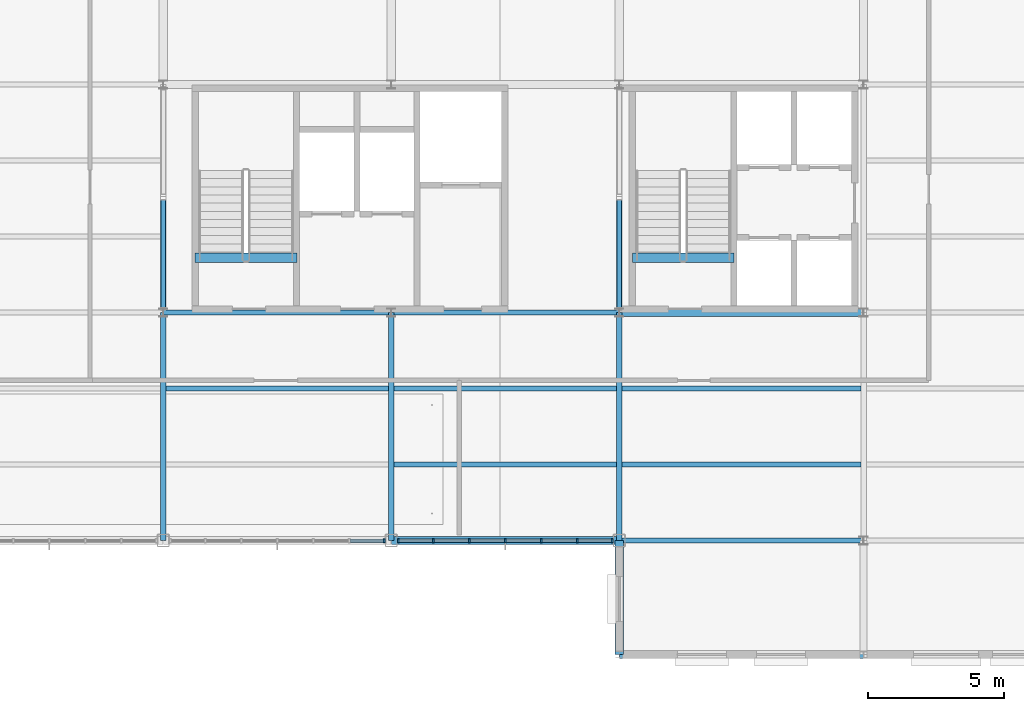
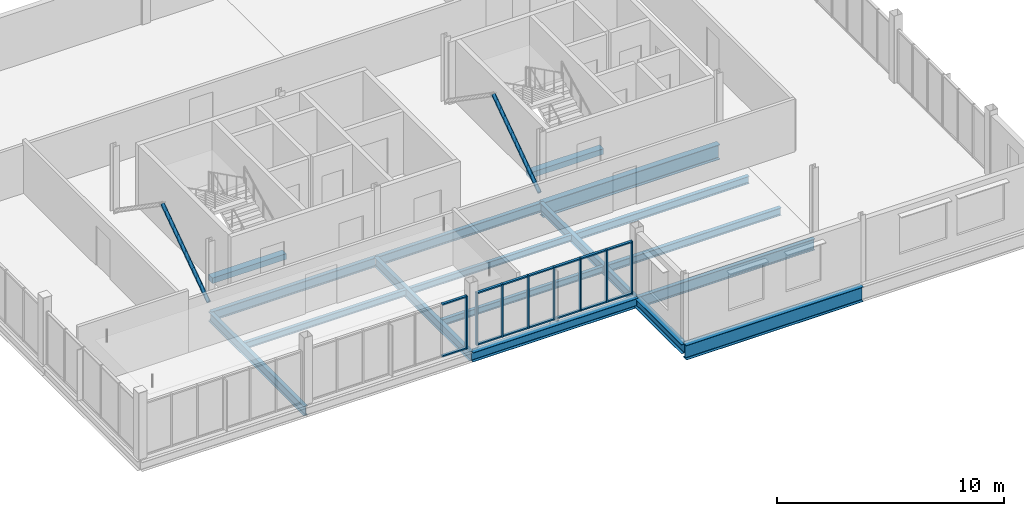
# One storey, part 5 of 19: 24 members, 17 beams, 2 elements without a shape of their own.
"""IFC4 building model written with IfcOpenShell, lengths in metres."""

from ifc_helpers import new_model, si_unit, direction, frame, origin, origin_2d, place, context, subcontext, project, spatial, rectangle, hollow_circle, i_section, extrude, material, layer, layer_set, material_profile, profile_set, type_object, element, aggregate, save


model = new_model("IFC4")

# Units and contexts
model_context = context("Model", 3, precision=1e-05, world=origin(), true_north=direction((0.0, 1.0)))
body_context = subcontext(model_context, "Body", "Model", "MODEL_VIEW")
ifc_project = project(units=[si_unit("LENGTHUNIT", "METRE"), si_unit("AREAUNIT", "SQUARE_METRE"), si_unit("VOLUMEUNIT", "CUBIC_METRE"), si_unit("PLANEANGLEUNIT", "RADIAN"), si_unit("MASSUNIT", "GRAM", prefix="KILO")], contexts=[model_context])

# Site, building, storey
site_placement = place(None, origin())
site = spatial("IfcSite", under=ifc_project, at=site_placement, CompositionType="ELEMENT")
building_placement = place(site_placement, origin())
building = spatial("IfcBuilding", under=site, at=building_placement, Name="Yukiwa Park Conservatory and Herbarium", CompositionType="ELEMENT")
storey_placement = place(building_placement, frame((0.0, 0.0, 46.800048828125)))
storey = spatial("IfcBuildingStorey", under=building, at=storey_placement, Name="L12", CompositionType="ELEMENT", Elevation=46.800048828125)

# Beams
ifc_material_1 = material(Name="Steel Q355D", Category="steel")
ifc_material_profile_1 = material_profile(ifc_material_1, i_section(OverallWidth=0.198974609375, OverallDepth=0.49609375, WebThickness=0.009033203125, FlangeThickness=0.013916015625, FilletRadius=0.02001953125, at=origin_2d()), Name="HN 496x199x9x14")
ifc_profile_set_1 = profile_set([ifc_material_profile_1], Name="Steel Q355D")
beam_type_1 = type_object("IfcBeamType", Name="BM-GRD-HN496", PredefinedType="BEAM", material=ifc_profile_set_1)
for number, where, z_axis, x_axis, name in (
    (1, (133.2060546875, 94.800048828125, -0.494140625), (1.0, 0.0, 0.0), (0.0, 1.0, 0.0), "L12 grid beam X-9"),
    (2, (141.60595703125, 94.800048828125, -0.494140625), (1.0, 0.0, 0.0), (0.0, 1.0, 0.0), "L12 grid beam X-10"),
):
    element("IfcBeam", number, at=place(storey_placement, frame(where, z_axis=z_axis, x_axis=x_axis)), inside=storey, type_object=beam_type_1, Name=name, PredefinedType="BEAM", context=body_context, shape_type="SweptSolid", body=[
        extrude(i_section(OverallWidth=0.198974609375, OverallDepth=0.49609375, WebThickness=0.009033203125, FlangeThickness=0.013916015625, FilletRadius=0.02001953125, at=origin_2d()), origin(), (0.0, 0.0, 1.0), 8.387939453125),
    ])
ifc_material_2 = material(Name="Steel Q355D", Category="steel")
ifc_material_profile_2 = material_profile(ifc_material_2, i_section(OverallWidth=0.199951171875, OverallDepth=0.5, WebThickness=0.010009765625, FlangeThickness=0.01611328125, FilletRadius=0.02001953125, at=origin_2d()), Name="HN 500x200x10x16")
ifc_profile_set_2 = profile_set([ifc_material_profile_2], Name="Steel Q355D")
beam_type_2 = type_object("IfcBeamType", Name="BM-GRD-HN500", PredefinedType="BEAM", material=ifc_profile_set_2)
for number, where, z_axis, x_axis, name in (
    (3, (133.199951171875, 86.406005859375, -0.49609375), (0.0, 1.0, 0.0), (-1.0, 0.0, 0.0), "L12 grid girder Y-26"),
    (4, (141.60009765625, 86.406005859375, -0.49609375), (0.0, 1.0, 0.0), (-1.0, 0.0, 0.0), "L12 grid girder Y-29"),
    (5, (150.0, 86.406005859375, -0.49609375), (0.0, 1.0, 0.0), (-1.0, 0.0, 0.0), "L12 grid girder Y-32"),
):
    element("IfcBeam", number, at=place(storey_placement, frame(where, z_axis=z_axis, x_axis=x_axis)), inside=storey, type_object=beam_type_2, Name=name, PredefinedType="BEAM", context=body_context, shape_type="SweptSolid", body=[
        extrude(i_section(OverallWidth=0.199951171875, OverallDepth=0.5, WebThickness=0.010009765625, FlangeThickness=0.01611328125, FilletRadius=0.02001953125, at=origin_2d()), origin(), (0.0, 0.0, 1.0), 8.387939453125),
    ])
ifc_material_3 = material(Name="Steel Q355D", Category="steel")
ifc_material_profile_3 = material_profile(ifc_material_3, i_section(OverallWidth=0.198974609375, OverallDepth=0.595947265625, WebThickness=0.010009765625, FlangeThickness=0.014892578125, FilletRadius=0.02197265625, at=origin_2d()), Name="HN 596x199x10x15")
ifc_profile_set_3 = profile_set([ifc_material_profile_3], Name="Steel Q355D")
beam_type_3 = type_object("IfcBeamType", Name="BM-GRD-HN596", PredefinedType="BEAM", material=ifc_profile_set_3)
beam_1_placement = place(storey_placement, frame((150.006103515625, 86.39990234375, -0.5439453125), z_axis=(1.0, 0.0, 0.0), x_axis=(0.0, 1.0, 0.0)))
element("IfcBeam", 6, at=beam_1_placement, inside=storey, type_object=beam_type_3, Name="L12 grid beam X-6", PredefinedType="BEAM", context=body_context, shape_type="SweptSolid", body=[
    extrude(i_section(OverallWidth=0.198974609375, OverallDepth=0.595947265625, WebThickness=0.010009765625, FlangeThickness=0.014892578125, FilletRadius=0.02197265625, at=origin_2d()), origin(), (0.0, 0.0, 1.0), 8.98779296875),
])
ifc_material_4 = material(Name="Steel Q355D", Category="steel")
ifc_material_profile_4 = material_profile(ifc_material_4, i_section(OverallWidth=0.174072265625, OverallDepth=0.345947265625, WebThickness=0.006103515625, FlangeThickness=0.009033203125, FilletRadius=0.013916015625, at=origin_2d()), Name="HN 346x174x6x9")
ifc_profile_set_4 = profile_set([ifc_material_profile_4], Name="Steel Q355D")
beam_type_4 = type_object("IfcBeamType", Name="BM-JST-HN346", PredefinedType="JOIST", material=ifc_profile_set_4)
for number, where, z_axis, x_axis, name in (
    (7, (133.2958984375, 92.0, -0.4189453125), (1.0, 0.0, 0.0), (0.0, 1.0, 0.0), "L12 composite floor joist 8"),
    (8, (141.696044921875, 89.199951171875, -0.4189453125), (1.0, 0.0, 0.0), (0.0, 1.0, 0.0), "L12 composite floor joist 11"),
    (9, (141.696044921875, 92.0, -0.4189453125), (1.0, 0.0, 0.0), (0.0, 1.0, 0.0), "L12 composite floor joist 12"),
):
    element("IfcBeam", number, at=place(storey_placement, frame(where, z_axis=z_axis, x_axis=x_axis)), inside=storey, type_object=beam_type_4, Name=name, PredefinedType="JOIST", context=body_context, shape_type="SweptSolid", body=[
        extrude(i_section(OverallWidth=0.174072265625, OverallDepth=0.345947265625, WebThickness=0.006103515625, FlangeThickness=0.009033203125, FilletRadius=0.013916015625, at=origin_2d()), origin(), (0.0, 0.0, 1.0), 8.2080078125),
    ])
ifc_material_5 = material(Name="Steel Q355D", Category="steel")
ifc_material_profile_5 = material_profile(ifc_material_5, i_section(OverallWidth=0.198974609375, OverallDepth=0.39599609375, WebThickness=0.007080078125, FlangeThickness=0.010986328125, FilletRadius=0.01611328125, at=origin_2d()), Name="HN 396x199x7x11")
ifc_profile_set_5 = profile_set([ifc_material_profile_5], Name="Steel Q355D")
beam_type_5 = type_object("IfcBeamType", Name="BM-JST-HN396", PredefinedType="JOIST", material=ifc_profile_set_5)
for number, where, z_axis, x_axis, name in (
    (10, (150.095947265625, 89.199951171875, -0.444091796875), (1.0, 0.0, 0.0), (0.0, 1.0, 0.0), "L12 composite floor joist 15"),
    (11, (150.095947265625, 92.0, -0.444091796875), (1.0, 0.0, 0.0), (0.0, 1.0, 0.0), "L12 composite floor joist 16"),
):
    element("IfcBeam", number, at=place(storey_placement, frame(where, z_axis=z_axis, x_axis=x_axis)), inside=storey, type_object=beam_type_5, Name=name, PredefinedType="JOIST", context=body_context, shape_type="SweptSolid", body=[
        extrude(i_section(OverallWidth=0.198974609375, OverallDepth=0.39599609375, WebThickness=0.007080078125, FlangeThickness=0.010986328125, FilletRadius=0.01611328125, at=origin_2d()), origin(), (0.0, 0.0, 1.0), 8.80810546875),
    ])
ifc_material_6 = material(Name="Steel Q355D", Category="steel")
ifc_material_profile_6 = material_profile(ifc_material_6, i_section(OverallWidth=0.300048828125, OverallDepth=0.493896484375, WebThickness=0.010986328125, FlangeThickness=0.014892578125, FilletRadius=0.02392578125, at=origin_2d()), Name="HM 494x300x11x15")
ifc_profile_set_6 = profile_set([ifc_material_profile_6], Name="Steel Q355D")
beam_type_6 = type_object("IfcBeamType", Name="BM-SPN-HN450", PredefinedType="SPANDREL", material=ifc_profile_set_6)
beam_2_placement = place(storey_placement, frame((150.0, 82.2060546875, -0.4931640625), z_axis=(0.0, 1.0, 0.0), x_axis=(-1.0, 0.0, 0.0)))
element("IfcBeam", 12, at=beam_2_placement, inside=storey, type_object=beam_type_6, Name="L12 spandrel girder Y-31", PredefinedType="SPANDREL", context=body_context, shape_type="SweptSolid", body=[
    extrude(i_section(OverallWidth=0.300048828125, OverallDepth=0.493896484375, WebThickness=0.010986328125, FlangeThickness=0.014892578125, FilletRadius=0.02392578125, at=origin_2d()), origin(), (0.0, 0.0, 1.0), 4.18798828125),
])
ifc_material_7 = material(Name="Steel Q355D", Category="steel")
ifc_material_profile_7 = material_profile(ifc_material_7, i_section(OverallWidth=0.300048828125, OverallDepth=0.5, WebThickness=0.010986328125, FlangeThickness=0.01806640625, FilletRadius=0.02392578125, at=origin_2d()), Name="HM 500x300x11x18")
ifc_profile_set_7 = profile_set([ifc_material_profile_7], Name="Steel Q355D")
beam_type_7 = type_object("IfcBeamType", Name="BM-SPN-HN500", PredefinedType="SPANDREL", material=ifc_profile_set_7)
beam_3_placement = place(storey_placement, frame((141.60595703125, 86.39990234375, -0.49609375), z_axis=(1.0, 0.0, 0.0), x_axis=(0.0, 1.0, 0.0)))
element("IfcBeam", 13, at=beam_3_placement, inside=storey, type_object=beam_type_7, Name="L12 spandrel beam X-5", PredefinedType="SPANDREL", context=body_context, shape_type="SweptSolid", body=[
    extrude(i_section(OverallWidth=0.300048828125, OverallDepth=0.5, WebThickness=0.010986328125, FlangeThickness=0.01806640625, FilletRadius=0.02392578125, at=origin_2d()), origin(), (0.0, 0.0, 1.0), 8.387939453125),
])
ifc_material_8 = material(Name="Steel Q355D", Category="steel")
ifc_material_profile_8 = material_profile(ifc_material_8, i_section(OverallWidth=0.300048828125, OverallDepth=0.7919921875, WebThickness=0.013916015625, FlangeThickness=0.02197265625, FilletRadius=0.028076171875, at=origin_2d()), Name="HN 792x300x14x22")
ifc_profile_set_8 = profile_set([ifc_material_profile_8], Name="Steel Q355D")
beam_type_8 = type_object("IfcBeamType", Name="BM-SPN-HN600", PredefinedType="SPANDREL", material=ifc_profile_set_8)
for number, where, z_axis, x_axis, name in (
    (14, (150.006103515625, 82.199951171875, -0.64208984375), (1.0, 0.0, 0.0), (0.0, 1.0, 0.0), "L12 spandrel beam X-1"),
    (15, (150.006103515625, 94.800048828125, -0.64208984375), (1.0, 0.0, 0.0), (0.0, 1.0, 0.0), "L12 spandrel beam X-11"),
):
    element("IfcBeam", number, at=place(storey_placement, frame(where, z_axis=z_axis, x_axis=x_axis)), inside=storey, type_object=beam_type_8, Name=name, PredefinedType="SPANDREL", context=body_context, shape_type="SweptSolid", body=[
        extrude(i_section(OverallWidth=0.300048828125, OverallDepth=0.7919921875, WebThickness=0.013916015625, FlangeThickness=0.02197265625, FilletRadius=0.028076171875, at=origin_2d()), origin(), (0.0, 0.0, 1.0), 8.98779296875),
    ])
ifc_material_9 = material(Name="Concrete C40", Category="concrete")
ifc_material_profile_9 = material_profile(ifc_material_9, rectangle(XDim=0.35009765625, YDim=0.300048828125, at=origin_2d()), Name="RC 350x300")
ifc_profile_set_9 = profile_set([ifc_material_profile_9], Name="Concrete C40")
beam_type_9 = type_object("IfcBeamType", Name="BM-STAIR-TRIM", PredefinedType="BEAM", material=ifc_profile_set_9)
for number, where, z_axis, x_axis, name in (
    (16, (134.3701171875, 96.81005859375, -0.150146484375), (1.0, 0.0, 0.0), (0.0, 1.0, 0.0), "Stair ST-T1 L12 landing trimmer beam"),
    (17, (150.47998046875, 96.81005859375, -0.150146484375), (1.0, 0.0, 0.0), (0.0, 1.0, 0.0), "Stair ST-T2 L12 landing trimmer beam"),
):
    element("IfcBeam", number, at=place(storey_placement, frame(where, z_axis=z_axis, x_axis=x_axis)), inside=storey, type_object=beam_type_9, Name=name, PredefinedType="BEAM", context=body_context, shape_type="SweptSolid", body=[
        extrude(rectangle(XDim=0.35009765625, YDim=0.300048828125, at=origin_2d()), origin(), (0.0, 0.0, 1.0), 3.75),
    ])

# Members
ifc_material_10 = material(Name="Steel Q355D", Category="steel")
ifc_material_profile_10 = material_profile(ifc_material_10, hollow_circle(Radius=0.096923828125, WallThickness=0.010009765625, at=origin_2d()), Name="CHS 193.7x10")
ifc_profile_set_10 = profile_set([ifc_material_profile_10], Name="Steel Q355D")
member_type_1 = type_object("IfcMemberType", Name="MB-BR-CHS194", PredefinedType="BRACE", material=ifc_profile_set_10)
for number, where, z_axis, x_axis, name in (
    (18, (133.199951171875, 94.9453125, 0.150634765625), (0.0, 0.821702072051, 0.569917278899), (-1.0, 0.0, 0.0), "L12 concentric chevron brace 61"),
    (19, (150.0, 94.9453125, 0.150634765625), (0.0, 0.821702072051, 0.569917278899), (-1.0, 0.0, 0.0), "L12 concentric chevron brace 63"),
):
    element("IfcMember", number, at=place(storey_placement, frame(where, z_axis=z_axis, x_axis=x_axis)), inside=storey, type_object=member_type_1, Name=name, PredefinedType="BRACE", context=body_context, shape_type="SweptSolid", body=[
        extrude(hollow_circle(Radius=0.096923828125, WallThickness=0.010009765625, at=origin_2d()), origin(), (0.0, 0.0, 1.0), 4.9345703125),
    ])

# Curtain wall, member
ifc_material_11 = material(Name="Triple Low-E Insulated Glass", Category="glass")
ifc_layer = layer(ifc_material_11, 0.248046875)
ifc_layer_set = layer_set([ifc_layer], Name="Triple Low-E Insulated Glass")
curtain_wall_type = type_object("IfcCurtainWallType", Name="CW-TOWER-LAB-S-1400", PredefinedType="NOTDEFINED", material=ifc_layer_set)
curtain_wall_1_placement = place(storey_placement, origin())
curtain_wall_1 = element("IfcCurtainWall", 20, at=curtain_wall_1_placement, inside=storey, type_object=curtain_wall_type, Name="L12 unitised curtain wall CW-L12-124", PredefinedType="NOTDEFINED")
ifc_material_12 = material(Name="Anodised Aluminium", Category="aluminium")
member_type_2 = type_object("IfcMemberType", Name="MB-CW-MUL-70X150", PredefinedType="MULLION", material=ifc_material_12)
member_1_placement = place(storey_placement, frame((141.340087890625, 86.39990234375, 0.0), z_axis=(0.0, 0.0, 1.0), x_axis=(1.0, 0.0, 0.0)))
member_1 = element("IfcMember", 21, at=member_1_placement, type_object=member_type_2, Name="CW-L12-124 mullion 7", PredefinedType="MULLION", context=body_context, shape_type="SweptSolid", body=[
    extrude(rectangle(XDim=0.070068359375, YDim=0.14990234375, at=origin_2d()), origin(), (0.0, 0.0, 1.0), 2.837890625),
])

# Curtain wall, members
curtain_wall_2_placement = place(storey_placement, origin())
curtain_wall_2 = element("IfcCurtainWall", 22, at=curtain_wall_2_placement, inside=storey, type_object=curtain_wall_type, Name="L12 unitised curtain wall CW-L12-125", PredefinedType="NOTDEFINED")
member_2_placement = place(storey_placement, frame((141.860107421875, 86.39990234375, 0.0), z_axis=(0.0, 0.0, 1.0), x_axis=(1.0, 0.0, 0.0)))
member_2 = element("IfcMember", 23, at=member_2_placement, type_object=member_type_2, Name="CW-L12-125 mullion 1", PredefinedType="MULLION", context=body_context, shape_type="SweptSolid", body=[
    extrude(rectangle(XDim=0.070068359375, YDim=0.14990234375, at=origin_2d()), origin(), (0.0, 0.0, 1.0), 2.837890625),
])
member_3_placement = place(storey_placement, frame((143.14990234375, 86.39990234375, 0.0), z_axis=(0.0, 0.0, 1.0), x_axis=(1.0, 0.0, 0.0)))
member_3 = element("IfcMember", 24, at=member_3_placement, type_object=member_type_2, Name="CW-L12-125 mullion 2", PredefinedType="MULLION", context=body_context, shape_type="SweptSolid", body=[
    extrude(rectangle(XDim=0.070068359375, YDim=0.14990234375, at=origin_2d()), origin(), (0.0, 0.0, 1.0), 2.837890625),
])
member_4_placement = place(storey_placement, frame((144.47509765625, 86.39990234375, 0.0), z_axis=(0.0, 0.0, 1.0), x_axis=(1.0, 0.0, 0.0)))
member_4 = element("IfcMember", 25, at=member_4_placement, type_object=member_type_2, Name="CW-L12-125 mullion 3", PredefinedType="MULLION", context=body_context, shape_type="SweptSolid", body=[
    extrude(rectangle(XDim=0.070068359375, YDim=0.14990234375, at=origin_2d()), origin(), (0.0, 0.0, 1.0), 2.837890625),
])
member_5_placement = place(storey_placement, frame((145.800048828125, 86.39990234375, 0.0), z_axis=(0.0, 0.0, 1.0), x_axis=(1.0, 0.0, 0.0)))
member_5 = element("IfcMember", 26, at=member_5_placement, type_object=member_type_2, Name="CW-L12-125 mullion 4", PredefinedType="MULLION", context=body_context, shape_type="SweptSolid", body=[
    extrude(rectangle(XDim=0.070068359375, YDim=0.14990234375, at=origin_2d()), origin(), (0.0, 0.0, 1.0), 2.837890625),
])
member_6_placement = place(storey_placement, frame((147.125, 86.39990234375, 0.0), z_axis=(0.0, 0.0, 1.0), x_axis=(1.0, 0.0, 0.0)))
member_6 = element("IfcMember", 27, at=member_6_placement, type_object=member_type_2, Name="CW-L12-125 mullion 5", PredefinedType="MULLION", context=body_context, shape_type="SweptSolid", body=[
    extrude(rectangle(XDim=0.070068359375, YDim=0.14990234375, at=origin_2d()), origin(), (0.0, 0.0, 1.0), 2.837890625),
])
member_7_placement = place(storey_placement, frame((148.449951171875, 86.39990234375, 0.0), z_axis=(0.0, 0.0, 1.0), x_axis=(1.0, 0.0, 0.0)))
member_7 = element("IfcMember", 28, at=member_7_placement, type_object=member_type_2, Name="CW-L12-125 mullion 6", PredefinedType="MULLION", context=body_context, shape_type="SweptSolid", body=[
    extrude(rectangle(XDim=0.070068359375, YDim=0.14990234375, at=origin_2d()), origin(), (0.0, 0.0, 1.0), 2.837890625),
])
member_8_placement = place(storey_placement, frame((149.739990234375, 86.39990234375, 0.0), z_axis=(0.0, 0.0, 1.0), x_axis=(1.0, 0.0, 0.0)))
member_8 = element("IfcMember", 29, at=member_8_placement, type_object=member_type_2, Name="CW-L12-125 mullion 7", PredefinedType="MULLION", context=body_context, shape_type="SweptSolid", body=[
    extrude(rectangle(XDim=0.070068359375, YDim=0.14990234375, at=origin_2d()), origin(), (0.0, 0.0, 1.0), 2.837890625),
])

# Member
ifc_material_13 = material(Name="Anodised Aluminium", Category="aluminium")
member_type_3 = type_object("IfcMemberType", Name="MB-CW-TRN-70X130", PredefinedType="USERDEFINED", material=ifc_material_13)
member_9_placement = place(storey_placement, frame((140.71240234375, 86.39990234375, 0.0), z_axis=(0.0, 0.0, 1.0), x_axis=(1.0, 0.0, 0.0)))
member_9 = element("IfcMember", 30, at=member_9_placement, type_object=member_type_3, Name="CW-L12-124 transom 6.1", ObjectType="TRANSOM", PredefinedType="USERDEFINED", context=body_context, shape_type="SweptSolid", body=[
    extrude(rectangle(XDim=1.2548828125, YDim=0.1298828125, at=origin_2d()), origin(), (0.0, 0.0, 1.0), 0.070068359375),
])

member_10_placement = place(storey_placement, frame((140.71240234375, 86.39990234375, 2.76806640625), z_axis=(0.0, 0.0, 1.0), x_axis=(1.0, 0.0, 0.0)))
member_10 = element("IfcMember", 31, at=member_10_placement, type_object=member_type_3, Name="CW-L12-124 transom 6.2", ObjectType="TRANSOM", PredefinedType="USERDEFINED", context=body_context, shape_type="SweptSolid", body=[
    extrude(rectangle(XDim=1.2548828125, YDim=0.1298828125, at=origin_2d()), origin(), (0.0, 0.0, 1.0), 0.070068359375),
])

aggregate(curtain_wall_1, [member_1, member_9, member_10])

member_11_placement = place(storey_placement, frame((142.487548828125, 86.39990234375, 0.0), z_axis=(0.0, 0.0, 1.0), x_axis=(1.0, 0.0, 0.0)))
member_11 = element("IfcMember", 32, at=member_11_placement, type_object=member_type_3, Name="CW-L12-125 transom 1.1", ObjectType="TRANSOM", PredefinedType="USERDEFINED", context=body_context, shape_type="SweptSolid", body=[
    extrude(rectangle(XDim=1.2548828125, YDim=0.1298828125, at=origin_2d()), origin(), (0.0, 0.0, 1.0), 0.070068359375),
])

member_12_placement = place(storey_placement, frame((142.487548828125, 86.39990234375, 2.76806640625), z_axis=(0.0, 0.0, 1.0), x_axis=(1.0, 0.0, 0.0)))
member_12 = element("IfcMember", 33, at=member_12_placement, type_object=member_type_3, Name="CW-L12-125 transom 1.2", ObjectType="TRANSOM", PredefinedType="USERDEFINED", context=body_context, shape_type="SweptSolid", body=[
    extrude(rectangle(XDim=1.2548828125, YDim=0.1298828125, at=origin_2d()), origin(), (0.0, 0.0, 1.0), 0.070068359375),
])

member_13_placement = place(storey_placement, frame((143.8125, 86.39990234375, 0.0), z_axis=(0.0, 0.0, 1.0), x_axis=(1.0, 0.0, 0.0)))
member_13 = element("IfcMember", 34, at=member_13_placement, type_object=member_type_3, Name="CW-L12-125 transom 2.1", ObjectType="TRANSOM", PredefinedType="USERDEFINED", context=body_context, shape_type="SweptSolid", body=[
    extrude(rectangle(XDim=1.2548828125, YDim=0.1298828125, at=origin_2d()), origin(), (0.0, 0.0, 1.0), 0.070068359375),
])

member_14_placement = place(storey_placement, frame((143.8125, 86.39990234375, 2.76806640625), z_axis=(0.0, 0.0, 1.0), x_axis=(1.0, 0.0, 0.0)))
member_14 = element("IfcMember", 35, at=member_14_placement, type_object=member_type_3, Name="CW-L12-125 transom 2.2", ObjectType="TRANSOM", PredefinedType="USERDEFINED", context=body_context, shape_type="SweptSolid", body=[
    extrude(rectangle(XDim=1.2548828125, YDim=0.1298828125, at=origin_2d()), origin(), (0.0, 0.0, 1.0), 0.070068359375),
])

member_15_placement = place(storey_placement, frame((145.137451171875, 86.39990234375, 0.0), z_axis=(0.0, 0.0, 1.0), x_axis=(1.0, 0.0, 0.0)))
member_15 = element("IfcMember", 36, at=member_15_placement, type_object=member_type_3, Name="CW-L12-125 transom 3.1", ObjectType="TRANSOM", PredefinedType="USERDEFINED", context=body_context, shape_type="SweptSolid", body=[
    extrude(rectangle(XDim=1.2548828125, YDim=0.1298828125, at=origin_2d()), origin(), (0.0, 0.0, 1.0), 0.070068359375),
])

member_16_placement = place(storey_placement, frame((145.137451171875, 86.39990234375, 2.76806640625), z_axis=(0.0, 0.0, 1.0), x_axis=(1.0, 0.0, 0.0)))
member_16 = element("IfcMember", 37, at=member_16_placement, type_object=member_type_3, Name="CW-L12-125 transom 3.2", ObjectType="TRANSOM", PredefinedType="USERDEFINED", context=body_context, shape_type="SweptSolid", body=[
    extrude(rectangle(XDim=1.2548828125, YDim=0.1298828125, at=origin_2d()), origin(), (0.0, 0.0, 1.0), 0.070068359375),
])

member_17_placement = place(storey_placement, frame((146.46240234375, 86.39990234375, 0.0), z_axis=(0.0, 0.0, 1.0), x_axis=(1.0, 0.0, 0.0)))
member_17 = element("IfcMember", 38, at=member_17_placement, type_object=member_type_3, Name="CW-L12-125 transom 4.1", ObjectType="TRANSOM", PredefinedType="USERDEFINED", context=body_context, shape_type="SweptSolid", body=[
    extrude(rectangle(XDim=1.2548828125, YDim=0.1298828125, at=origin_2d()), origin(), (0.0, 0.0, 1.0), 0.070068359375),
])

member_18_placement = place(storey_placement, frame((146.46240234375, 86.39990234375, 2.76806640625), z_axis=(0.0, 0.0, 1.0), x_axis=(1.0, 0.0, 0.0)))
member_18 = element("IfcMember", 39, at=member_18_placement, type_object=member_type_3, Name="CW-L12-125 transom 4.2", ObjectType="TRANSOM", PredefinedType="USERDEFINED", context=body_context, shape_type="SweptSolid", body=[
    extrude(rectangle(XDim=1.2548828125, YDim=0.1298828125, at=origin_2d()), origin(), (0.0, 0.0, 1.0), 0.070068359375),
])

member_19_placement = place(storey_placement, frame((147.78759765625, 86.39990234375, 0.0), z_axis=(0.0, 0.0, 1.0), x_axis=(1.0, 0.0, 0.0)))
member_19 = element("IfcMember", 40, at=member_19_placement, type_object=member_type_3, Name="CW-L12-125 transom 5.1", ObjectType="TRANSOM", PredefinedType="USERDEFINED", context=body_context, shape_type="SweptSolid", body=[
    extrude(rectangle(XDim=1.2548828125, YDim=0.1298828125, at=origin_2d()), origin(), (0.0, 0.0, 1.0), 0.070068359375),
])

member_20_placement = place(storey_placement, frame((147.78759765625, 86.39990234375, 2.76806640625), z_axis=(0.0, 0.0, 1.0), x_axis=(1.0, 0.0, 0.0)))
member_20 = element("IfcMember", 41, at=member_20_placement, type_object=member_type_3, Name="CW-L12-125 transom 5.2", ObjectType="TRANSOM", PredefinedType="USERDEFINED", context=body_context, shape_type="SweptSolid", body=[
    extrude(rectangle(XDim=1.2548828125, YDim=0.1298828125, at=origin_2d()), origin(), (0.0, 0.0, 1.0), 0.070068359375),
])

member_21_placement = place(storey_placement, frame((149.112548828125, 86.39990234375, 0.0), z_axis=(0.0, 0.0, 1.0), x_axis=(1.0, 0.0, 0.0)))
member_21 = element("IfcMember", 42, at=member_21_placement, type_object=member_type_3, Name="CW-L12-125 transom 6.1", ObjectType="TRANSOM", PredefinedType="USERDEFINED", context=body_context, shape_type="SweptSolid", body=[
    extrude(rectangle(XDim=1.2548828125, YDim=0.1298828125, at=origin_2d()), origin(), (0.0, 0.0, 1.0), 0.070068359375),
])

member_22_placement = place(storey_placement, frame((149.112548828125, 86.39990234375, 2.76806640625), z_axis=(0.0, 0.0, 1.0), x_axis=(1.0, 0.0, 0.0)))
member_22 = element("IfcMember", 43, at=member_22_placement, type_object=member_type_3, Name="CW-L12-125 transom 6.2", ObjectType="TRANSOM", PredefinedType="USERDEFINED", context=body_context, shape_type="SweptSolid", body=[
    extrude(rectangle(XDim=1.2548828125, YDim=0.1298828125, at=origin_2d()), origin(), (0.0, 0.0, 1.0), 0.070068359375),
])

aggregate(curtain_wall_2, [member_2, member_3, member_4, member_5, member_6, member_7, member_8, member_11, member_12, member_13, member_14, member_15, member_16, member_17, member_18, member_19, member_20, member_21, member_22])

save(model, "model.ifc")
